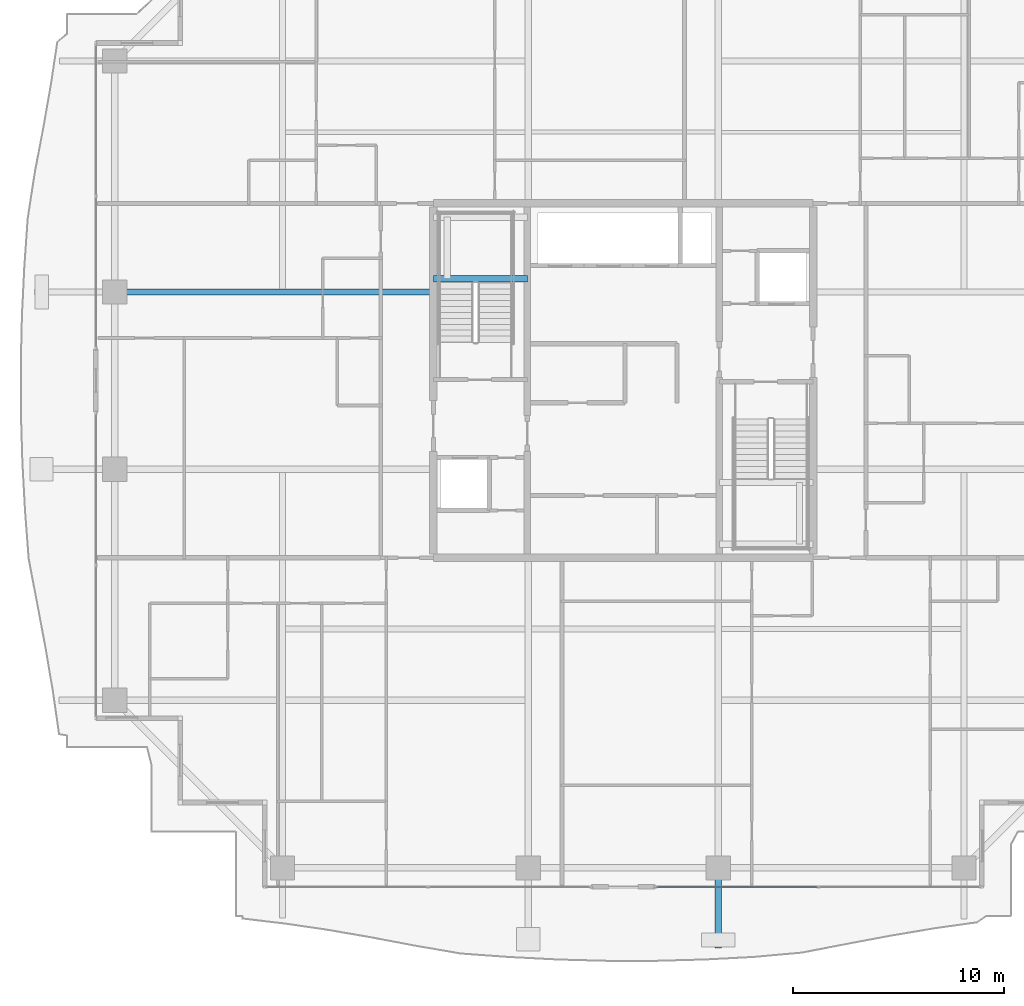
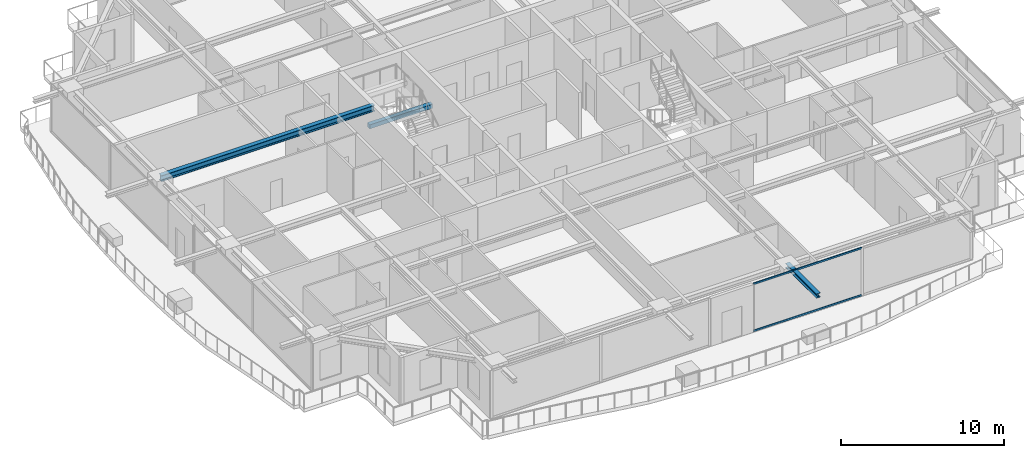
# One storey, part 10 of 35: 3 beams, 2 members, 1 element without a shape of its own.
"""IFC4 building model written with IfcOpenShell, lengths in metres."""

import ifcopenshell
import ifcopenshell.guid

model = None  # the IFC model being written
_history = None  # IfcOwnerHistory: only IFC2X3 demands one
_inside = {}  # id of a spatial element -> (the spatial element, [elements in it])
_under = {}  # id of a project, library or spatial element -> (it, [spatial elements below it])
_declared = {}  # id of a project -> (the project, [libraries it declares])
_typed = {}  # id of a type object -> (the type object, [elements of that type])
_made_of = {}  # id of a material, layer set ... -> (it, [elements and type objects made of it])


def new_model(schema):
    """Start an empty IFC model of exactly this schema.

    Asked for "IFC4X3", IfcOpenShell would pick the latest addendum, in which some entities
    have other attributes; the version numbers below select the first issue.
    IFC2X3 requires an IfcOwnerHistory on every rooted entity: one is made here for all.
    """
    global model, _history
    if schema == "IFC4X3":
        model = ifcopenshell.file(schema_version=(4, 3, 0, 0))
    else:
        model = ifcopenshell.file(schema=schema)
    _inside.clear()
    _under.clear()
    _declared.clear()
    _typed.clear()
    _made_of.clear()
    _history = None
    if model.schema == "IFC2X3":
        org = make("IfcOrganization", Name="unknown")
        user = make(
            "IfcPersonAndOrganization",
            ThePerson=make("IfcPerson", FamilyName="unknown"),
            TheOrganization=org,
        )
        app = make(
            "IfcApplication",
            ApplicationDeveloper=org,
            Version="unknown",
            ApplicationFullName="unknown",
            ApplicationIdentifier="unknown",
        )
        _history = make(
            "IfcOwnerHistory",
            OwningUser=user,
            OwningApplication=app,
            ChangeAction="ADDED",
            CreationDate=0,
        )
    return model


def make(cls, **values):
    """One entity of the class cls with the attributes given. An attribute that is None is left unset."""
    return model.create_entity(
        cls, **{name: value for name, value in values.items() if value is not None}
    )


def rooted(cls, **values):
    """An entity with a GlobalId (a new one), such as an element, a storey or a relation."""
    return make(cls, GlobalId=ifcopenshell.guid.new(), OwnerHistory=_history, **values)


def si_unit(unit_type, name, prefix=None):
    """IfcSIUnit, for example si_unit("LENGTHUNIT", "METRE", prefix="MILLI")."""
    return make("IfcSIUnit", UnitType=unit_type, Prefix=prefix, Name=name)


def assignment(units):
    """IfcUnitAssignment: the units of a project."""
    return None if units is None else make("IfcUnitAssignment", Units=units)


def point(xyz):
    """IfcCartesianPoint."""
    return None if xyz is None else make("IfcCartesianPoint", Coordinates=xyz)


def direction(xyz):
    """IfcDirection."""
    return None if xyz is None else make("IfcDirection", DirectionRatios=xyz)


def frame(location, z_axis=None, x_axis=None):
    """IfcAxis2Placement3D, a coordinate frame: its origin and axes. An axis left out is left unset."""
    return make(
        "IfcAxis2Placement3D",
        Location=point(location),
        Axis=direction(z_axis),
        RefDirection=direction(x_axis),
    )


def frame_2d(location, x_axis=None):
    """IfcAxis2Placement2D, a coordinate frame in the plane: its origin and x axis."""
    return make(
        "IfcAxis2Placement2D", Location=point(location), RefDirection=direction(x_axis)
    )


def origin():
    """The frame at (0, 0, 0) with its axes left unset."""
    return frame((0.0, 0.0, 0.0))


def origin_2d():
    """The frame at (0, 0) in the plane with its x axis left unset."""
    return frame_2d((0.0, 0.0))


def place(relative_to, where):
    """IfcLocalPlacement: puts the frame where relative to a parent placement (None: the world)."""
    return make(
        "IfcLocalPlacement", PlacementRelTo=relative_to, RelativePlacement=where
    )


def context(
    kind, dimensions, precision=None, world=None, true_north=None, identifier=None
):
    """IfcGeometricRepresentationContext, for example the 3D "Model" context."""
    return make(
        "IfcGeometricRepresentationContext",
        ContextIdentifier=identifier,
        ContextType=kind,
        CoordinateSpaceDimension=dimensions,
        Precision=precision,
        WorldCoordinateSystem=world,
        TrueNorth=true_north,
    )


def subcontext(parent, identifier, kind, view, scale=None):
    """IfcGeometricRepresentationSubContext, for example "Body" below "Model"."""
    return make(
        "IfcGeometricRepresentationSubContext",
        ContextIdentifier=identifier,
        ContextType=kind,
        ParentContext=parent,
        TargetScale=scale,
        TargetView=view,
    )


def project(units=None, contexts=None):
    """IfcProject with its units and contexts."""
    return rooted(
        "IfcProject",
        Name="project",
        RepresentationContexts=contexts,
        UnitsInContext=assignment(units),
    )


def spatial(cls, under=None, at=None, **own):
    """A site, building, storey or space (cls), placed at a placement, below another one or the project."""
    s = rooted(cls, ObjectPlacement=at, **own)
    if under is not None:
        _under.setdefault(under.id(), (under, []))[1].append(s)
    return s


def profile(cls, at=None, kind="AREA", **sizes):
    """A parametric profile (cls). Its sizes go by their IFC names, for example OverallWidth=200.0."""
    return make(cls, ProfileType=kind, Position=at, **sizes)


def rectangle(**sizes):
    """IfcRectangleProfileDef."""
    return profile("IfcRectangleProfileDef", **sizes)


def hollow_rectangle(**sizes):
    """IfcRectangleHollowProfileDef."""
    return profile("IfcRectangleHollowProfileDef", **sizes)


def i_section(**sizes):
    """IfcIShapeProfileDef."""
    return profile("IfcIShapeProfileDef", **sizes)


def extrude(swept, where, along, depth):
    """IfcExtrudedAreaSolid: the profile swept, set in the frame where, extruded along a direction by depth."""
    return make(
        "IfcExtrudedAreaSolid",
        SweptArea=swept,
        Position=where,
        ExtrudedDirection=direction(along),
        Depth=depth,
    )


def shape(context_of_items, identifier, shape_type, items):
    """IfcShapeRepresentation: the items that make up one representation, for example the "Body"."""
    return make(
        "IfcShapeRepresentation",
        ContextOfItems=context_of_items,
        RepresentationIdentifier=identifier,
        RepresentationType=shape_type,
        Items=items,
    )


def source(mapping_origin, context_of_items, identifier, shape_type, items):
    """IfcRepresentationMap: a shape defined once, which mapped items show again and again."""
    return make(
        "IfcRepresentationMap",
        MappingOrigin=mapping_origin,
        MappedRepresentation=shape(context_of_items, identifier, shape_type, items),
    )


def transform(
    local_origin,
    x_axis=None,
    y_axis=None,
    z_axis=None,
    scale=None,
    scale2=None,
    scale3=None,
    uniform=True,
):
    """IfcCartesianTransformationOperator3D, or its non-uniform kind. x_axis, y_axis, z_axis: its Axis1, 2, 3."""
    if uniform:
        return make(
            "IfcCartesianTransformationOperator3D",
            Axis1=direction(x_axis),
            Axis2=direction(y_axis),
            LocalOrigin=point(local_origin),
            Scale=scale,
            Axis3=direction(z_axis),
        )
    return make(
        "IfcCartesianTransformationOperator3DnonUniform",
        Axis1=direction(x_axis),
        Axis2=direction(y_axis),
        LocalOrigin=point(local_origin),
        Scale=scale,
        Axis3=direction(z_axis),
        Scale2=scale2,
        Scale3=scale3,
    )


def mapped(mapping_source, mapping_target):
    """IfcMappedItem: shows the shape of a source again, moved by a transform."""
    return make(
        "IfcMappedItem", MappingSource=mapping_source, MappingTarget=mapping_target
    )


def material(Name=None, Category=None):
    """IfcMaterial."""
    return make("IfcMaterial", Name=Name, Category=Category)


def layer(
    of_material, thickness, ventilated=None, Name=None, Category=None, Priority=None
):
    """IfcMaterialLayer: one layer of a wall or slab, of a material (None: an air gap)."""
    return make(
        "IfcMaterialLayer",
        Material=of_material,
        LayerThickness=thickness,
        IsVentilated=ventilated,
        Name=Name,
        Category=Category,
        Priority=Priority,
    )


def layer_set(layers, Name=None):
    """IfcMaterialLayerSet."""
    return make("IfcMaterialLayerSet", MaterialLayers=layers, LayerSetName=Name)


def material_profile(
    of_material, cross_section, Name=None, Category=None, Priority=None
):
    """IfcMaterialProfile: a cross section and its material."""
    return make(
        "IfcMaterialProfile",
        Name=Name,
        Material=of_material,
        Profile=cross_section,
        Priority=Priority,
        Category=Category,
    )


def profile_set(profiles, Name=None, composite=None):
    """IfcMaterialProfileSet."""
    return make(
        "IfcMaterialProfileSet",
        Name=Name,
        MaterialProfiles=profiles,
        CompositeProfile=composite,
    )


def made_of(thing, what):
    """Note that an element or type object is made of a material, layer set ...; save() writes the relation."""
    if what is not None:
        _made_of.setdefault(what.id(), (what, []))[1].append(thing)
    return thing


def type_object(cls, material=None, **own):
    """A type object (cls), such as IfcWallType, which elements share."""
    return made_of(rooted(cls, **own), material)


def element(
    cls,
    number,
    at=None,
    inside=None,
    cuts=None,
    type_object=None,
    material=None,
    context=None,
    identifier="Body",
    shape_type=None,
    held_by="IfcProductDefinitionShape",
    body=None,
    shapes=None,
    **own,
):
    """One element of the class cls, such as IfcWall. Its Tag is "e" and its number.

    at: its placement. inside: the storey or other place that contains it. cuts: it is an
    opening in that element (IfcRelVoidsElement). A single representation is given by context,
    identifier, shape_type and body (its items); several are given by shapes. held_by: the class
    of the entity that holds the representations. save() writes the other relations.
    """
    e = rooted(cls, Tag="e%d" % number, ObjectPlacement=at, **own)
    if body is not None:
        shapes = [shape(context, identifier, shape_type, body)]
    if shapes is not None:
        e.Representation = make(held_by, Representations=shapes)
    if inside is not None:
        _inside.setdefault(inside.id(), (inside, []))[1].append(e)
    if cuts is not None:
        rooted(
            "IfcRelVoidsElement", RelatingBuildingElement=cuts, RelatedOpeningElement=e
        )
    if type_object is not None:
        _typed.setdefault(type_object.id(), (type_object, []))[1].append(e)
    return made_of(e, material)


def aggregate(whole, parts):
    """IfcRelAggregates: a whole, such as a stair, and the parts it consists of."""
    return rooted("IfcRelAggregates", RelatingObject=whole, RelatedObjects=parts)


def save(model, path):
    """Write the relations noted so far, then the file.

    IfcRelAggregates (storeys below a building ...), IfcRelContainedInSpatialStructure (elements
    in a storey), IfcRelDefinesByType, IfcRelAssociatesMaterial and IfcRelDeclares: one each for
    every whole, place, type object, material and project.
    """
    for whole, parts in _under.values():
        aggregate(whole, parts)
    for where, things in _inside.values():
        rooted(
            "IfcRelContainedInSpatialStructure",
            RelatedElements=things,
            RelatingStructure=where,
        )
    for kind, things in _typed.values():
        rooted("IfcRelDefinesByType", RelatedObjects=things, RelatingType=kind)
    for what, things in _made_of.values():
        rooted("IfcRelAssociatesMaterial", RelatedObjects=things, RelatingMaterial=what)
    for by, libraries in _declared.values():
        rooted("IfcRelDeclares", RelatingContext=by, RelatedDefinitions=libraries)
    model.write(path)


model = new_model("IFC4")

# Units and contexts
model_context = context("Model", 3, precision=1e-05, world=origin(), true_north=direction((0.0, 1.0)))
body_context = subcontext(model_context, "Body", "Model", "MODEL_VIEW")
ifc_project = project(units=[si_unit("LENGTHUNIT", "METRE"), si_unit("AREAUNIT", "SQUARE_METRE"), si_unit("VOLUMEUNIT", "CUBIC_METRE"), si_unit("PLANEANGLEUNIT", "RADIAN"), si_unit("MASSUNIT", "GRAM", prefix="KILO")], contexts=[model_context])

# Site, building, storey
site_placement = place(None, origin())
site = spatial("IfcSite", under=ifc_project, at=site_placement, CompositionType="ELEMENT")
building_placement = place(site_placement, origin())
building = spatial("IfcBuilding", under=site, at=building_placement, Name="Serunith Strait Residences", CompositionType="ELEMENT")
storey_placement = place(building_placement, frame((0.0, 0.0, 214.300048828125)))
storey = spatial("IfcBuildingStorey", under=building, at=storey_placement, Name="L53", CompositionType="ELEMENT", Elevation=214.300048828125)

# Beams
ifc_material_1 = material(Name="Steel S355J2", Category="steel")
ifc_material_profile_1 = material_profile(ifc_material_1, i_section(OverallWidth=0.300048828125, OverallDepth=0.449951171875, WebThickness=0.013916015625, FlangeThickness=0.02587890625, FilletRadius=0.027099609375, at=origin_2d()), Name="HEB 450")
ifc_profile_set_1 = profile_set([ifc_material_profile_1], Name="Steel S355J2")
beam_type_1 = type_object("IfcBeamType", Name="BM-HEB450", PredefinedType="BEAM", material=ifc_profile_set_1)
shared_shape_1 = source(origin(), body_context, "Body", "SweptSolid", [
    extrude(i_section(OverallWidth=0.300048828125, OverallDepth=0.449951171875, WebThickness=0.013916015625, FlangeThickness=0.02587890625, FilletRadius=0.027099609375, at=origin_2d()), origin(), (0.0, 0.0, 1.0), 15.099853515625),
])
beam_1_placement = place(storey_placement, frame((23.39990234375, 29.39990234375, 3.362060546875), z_axis=(-1.0, 0.0, 0.0), x_axis=(0.0, -1.0, 0.0)))
element("IfcBeam", 1, at=beam_1_placement, inside=storey, type_object=beam_type_1, Name="L53 Primary Floor Girder TC-W3", PredefinedType="BEAM", context=body_context, shape_type="MappedRepresentation", body=[
    mapped(shared_shape_1, transform((0.0, 0.0, 0.0), scale=1.0)),
])
ifc_material_profile_2 = material_profile(ifc_material_1, i_section(OverallWidth=0.300048828125, OverallDepth=0.320068359375, WebThickness=0.011474609375, FlangeThickness=0.0205078125, FilletRadius=0.027099609375, at=origin_2d()), Name="HEB 320")
ifc_profile_set_2 = profile_set([ifc_material_profile_2], Name="Steel S355J2")
beam_type_2 = type_object("IfcBeamType", Name="BM-HEB320", PredefinedType="BEAM", material=ifc_profile_set_2)
shared_shape_2 = source(origin(), body_context, "Body", "SweptSolid", [
    extrude(i_section(OverallWidth=0.300048828125, OverallDepth=0.320068359375, WebThickness=0.011474609375, FlangeThickness=0.0205078125, FilletRadius=0.027099609375, at=origin_2d()), origin(), (0.0, 0.0, 1.0), 3.800048828125),
])
beam_2_placement = place(storey_placement, frame((36.89990234375, 2.10009765625, 3.39697265625), z_axis=(0.0, -1.0, 0.0), x_axis=(1.0, 0.0, 0.0)))
element("IfcBeam", 2, at=beam_2_placement, inside=storey, type_object=beam_type_2, Name="L54 Cantilevered Balcony Rib TC-S3", PredefinedType="BEAM", context=body_context, shape_type="MappedRepresentation", body=[
    mapped(shared_shape_2, transform((0.0, 0.0, 0.0), scale=1.0)),
])
ifc_material_2 = material(Name="Concrete C60/75", Category="concrete")
ifc_material_profile_3 = material_profile(ifc_material_2, rectangle(XDim=0.300048828125, YDim=0.300048828125, at=origin_2d()), Name="RC 300x300")
ifc_profile_set_3 = profile_set([ifc_material_profile_3], Name="Concrete C60/75")
beam_type_3 = type_object("IfcBeamType", Name="BM-LAND-300x300", PredefinedType="BEAM", material=ifc_profile_set_3)
shared_shape_3 = source(origin(), body_context, "Body", "SweptSolid", [
    extrude(rectangle(XDim=0.300048828125, YDim=0.300048828125, at=origin_2d()), origin(), (0.0, 0.0, 1.0), 4.4501953125),
])
beam_3_placement = place(storey_placement, frame((23.39990234375, 30.030029296875, 1.574951171875), z_axis=(1.0, 0.0, 0.0), x_axis=(0.0, 1.0, 0.0)))
element("IfcBeam", 3, at=beam_3_placement, inside=storey, type_object=beam_type_3, Name="L53 ST-1 Landing Support Beam 1", PredefinedType="BEAM", context=body_context, shape_type="MappedRepresentation", body=[
    mapped(shared_shape_3, transform((0.0, 0.0, 0.0), scale=1.0)),
])

# Curtain wall, members
ifc_material_3 = material(Name="Pale-Champagne Anodised Aluminium", Category="aluminium")
ifc_layer = layer(ifc_material_3, 0.199951171875, Name="Pale-Champagne Anodised Aluminium")
ifc_layer_set = layer_set([ifc_layer], Name="Pale-Champagne Anodised Aluminium")
curtain_wall_type = type_object("IfcCurtainWallType", Name="CW-SYS4", PredefinedType="NOTDEFINED", material=ifc_layer_set)
curtain_wall_placement = place(storey_placement, origin())
curtain_wall = element("IfcCurtainWall", 4, at=curtain_wall_placement, inside=storey, type_object=curtain_wall_type, Name="L53 S Unitised Fritted Curtain Wall", PredefinedType="NOTDEFINED")
ifc_material_profile_4 = material_profile(ifc_material_3, hollow_rectangle(XDim=0.06005859375, YDim=0.139892578125, WallThickness=0.00341796875, InnerFilletRadius=0.00537109375, OuterFilletRadius=0.0087890625, at=origin_2d()), Name="ALU 140x60x3.5")
ifc_profile_set_4 = profile_set([ifc_material_profile_4], Name="Pale-Champagne Anodised Aluminium")
member_type = type_object("IfcMemberType", Name="CW-SYS4-TRAN", PredefinedType="USERDEFINED", material=ifc_profile_set_4)
shared_shape_4 = source(origin(), body_context, "Body", "SweptSolid", [
    extrude(hollow_rectangle(XDim=0.06005859375, YDim=0.139892578125, WallThickness=0.00341796875, InnerFilletRadius=0.00537109375, OuterFilletRadius=0.0087890625, at=origin_2d()), origin(), (0.0, 0.0, 1.0), 7.65234375),
])
member_1_placement = place(storey_placement, frame((33.965087890625, 1.199951171875, 0.030029296875), z_axis=(1.0, 0.0, 0.0), x_axis=(0.0, 1.0, 0.0)))
member_1 = element("IfcMember", 5, at=member_1_placement, type_object=member_type, Name="CW-4 transom 1.1", ObjectType="TRANSOM", PredefinedType="USERDEFINED", context=body_context, shape_type="MappedRepresentation", body=[
    mapped(shared_shape_4, transform((0.0, 0.0, 0.0), scale=1.0)),
])
member_2_placement = place(storey_placement, frame((33.965087890625, 1.199951171875, 3.544921875), z_axis=(1.0, 0.0, 0.0), x_axis=(0.0, 1.0, 0.0)))
member_2 = element("IfcMember", 6, at=member_2_placement, type_object=member_type, Name="CW-4 transom 1.2", ObjectType="TRANSOM", PredefinedType="USERDEFINED", context=body_context, shape_type="MappedRepresentation", body=[
    mapped(shared_shape_4, transform((0.0, 0.0, 0.0), scale=1.0)),
])
aggregate(curtain_wall, [member_1, member_2])

save(model, "model.ifc")
